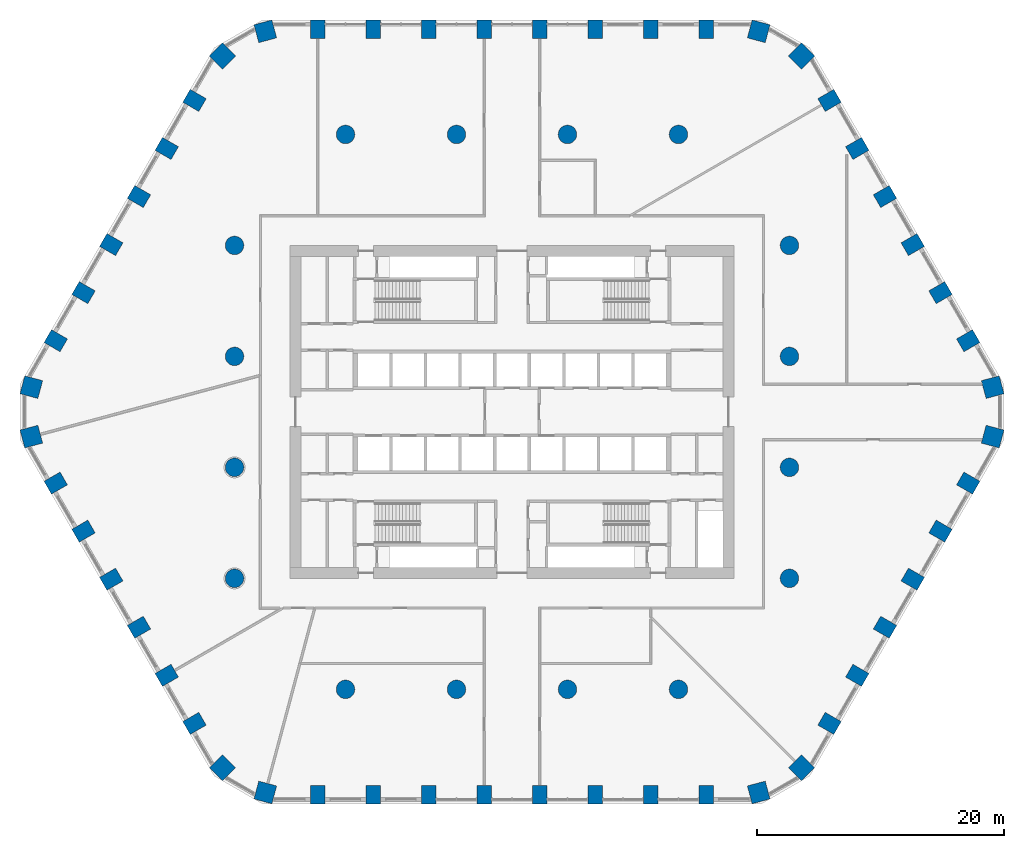
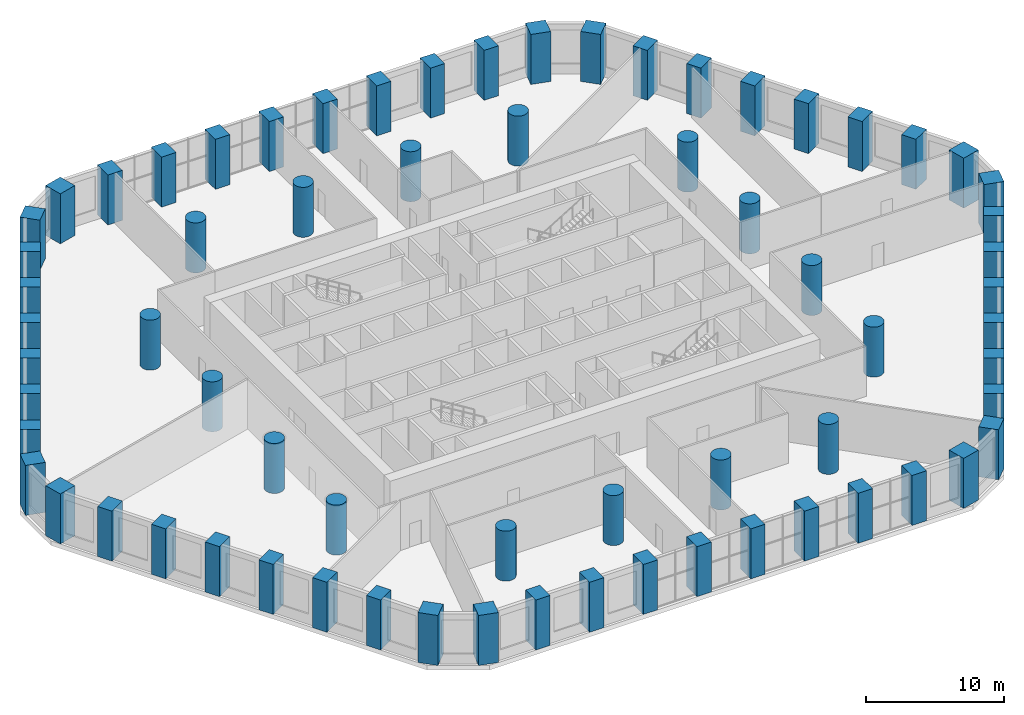
# One storey, part 1 of 13: 68 columns.
"""IFC4 building model written with IfcOpenShell, lengths in metres."""

from ifc_helpers import new_model, si_unit, direction, frame, origin, origin_2d, place, context, subcontext, project, spatial, rectangle, circle, extrude, material, material_profile, profile_set, type_object, element, save


model = new_model("IFC4")

# Units and contexts
model_context = context("Model", 3, precision=1e-05, world=origin(), true_north=direction((0.0, 1.0)))
body_context = subcontext(model_context, "Body", "Model", "MODEL_VIEW")
ifc_project = project(units=[si_unit("LENGTHUNIT", "METRE"), si_unit("AREAUNIT", "SQUARE_METRE"), si_unit("VOLUMEUNIT", "CUBIC_METRE"), si_unit("PLANEANGLEUNIT", "RADIAN"), si_unit("MASSUNIT", "GRAM", prefix="KILO")], contexts=[model_context])

# Site, building, storey
site_placement = place(None, origin())
site = spatial("IfcSite", under=ifc_project, at=site_placement, CompositionType="ELEMENT")
building_placement = place(site_placement, origin())
building = spatial("IfcBuilding", under=site, at=building_placement, Name="Dhurran Vertical Campus", CompositionType="ELEMENT")
storey_placement = place(building_placement, frame((0.0, 0.0, 25.199951171875)))
storey = spatial("IfcBuildingStorey", under=building, at=storey_placement, Name="L05", CompositionType="ELEMENT", Elevation=25.199951171875)

# Columns
ifc_material_1 = material(Name="Concrete C70/85", Category="concrete")
ifc_material_profile_1 = material_profile(ifc_material_1, rectangle(XDim=1.199951171875, YDim=1.5, at=origin_2d()), Name="RC 1200x1500")
ifc_profile_set_1 = profile_set([ifc_material_profile_1], Name="Concrete C70/85")
column_type_1 = type_object("IfcColumnType", Name="FR COL RC 1200x1500 C70/85", PredefinedType="COLUMN", material=ifc_profile_set_1)
for number, where, z_axis, x_axis, name in (
    (1, (-15.75, -31.02978515625, 0.0), (0.0, 0.0, 1.0), (1.0, 0.0, 0.0), "Perimeter pier PP0.01"),
    (2, (-11.25, -31.02978515625, 0.0), (0.0, 0.0, 1.0), (1.0, 0.0, 0.0), "Perimeter pier PP0.02"),
    (3, (-6.75, -31.02978515625, 0.0), (0.0, 0.0, 1.0), (1.0, 0.0, 0.0), "Perimeter pier PP0.03"),
    (4, (-2.25, -31.02978515625, 0.0), (0.0, 0.0, 1.0), (1.0, 0.0, 0.0), "Perimeter pier PP0.04"),
    (5, (2.25, -31.02978515625, 0.0), (0.0, 0.0, 1.0), (1.0, 0.0, 0.0), "Perimeter pier PP0.05"),
    (6, (6.75, -31.02978515625, 0.0), (0.0, 0.0, 1.0), (1.0, 0.0, 0.0), "Perimeter pier PP0.06"),
    (7, (11.25, -31.02978515625, 0.0), (0.0, 0.0, 1.0), (1.0, 0.0, 0.0), "Perimeter pier PP0.07"),
    (8, (15.75, -31.02978515625, 0.0), (0.0, 0.0, 1.0), (1.0, 0.0, 0.0), "Perimeter pier PP0.08"),
    (9, (25.74755859375, -25.2578125, 0.0), (0.0, 0.0, 1.0), (0.5, 0.866025403784, 0.0), "Perimeter pier PP0.11"),
    (10, (27.99755859375, -21.360595703125, 0.0), (0.0, 0.0, 1.0), (0.5, 0.866025403784, 0.0), "Perimeter pier PP0.12"),
    (11, (30.24755859375, -17.46337890625, 0.0), (0.0, 0.0, 1.0), (0.5, 0.866025403784, 0.0), "Perimeter pier PP0.13"),
    (12, (32.49755859375, -13.56640625, 0.0), (0.0, 0.0, 1.0), (0.5, 0.866025403784, 0.0), "Perimeter pier PP0.14"),
    (13, (34.74755859375, -9.669189453125, 0.0), (0.0, 0.0, 1.0), (0.5, 0.866025403784, 0.0), "Perimeter pier PP0.15"),
    (14, (36.99755859375, -5.772216796875, 0.0), (0.0, 0.0, 1.0), (0.5, 0.866025403784, 0.0), "Perimeter pier PP0.16"),
    (15, (36.99755859375, 5.772216796875, 0.0), (0.0, 0.0, 1.0), (-0.5, 0.866025403784, 0.0), "Perimeter pier PP0.19"),
    (16, (34.74755859375, 9.669189453125, 0.0), (0.0, 0.0, 1.0), (-0.5, 0.866025403784, 0.0), "Perimeter pier PP0.20"),
    (17, (32.49755859375, 13.56640625, 0.0), (0.0, 0.0, 1.0), (-0.5, 0.866025403784, 0.0), "Perimeter pier PP0.21"),
    (18, (30.24755859375, 17.46337890625, 0.0), (0.0, 0.0, 1.0), (-0.5, 0.866025403784, 0.0), "Perimeter pier PP0.22"),
    (19, (27.99755859375, 21.360595703125, 0.0), (0.0, 0.0, 1.0), (-0.5, 0.866025403784, 0.0), "Perimeter pier PP0.23"),
    (20, (25.74755859375, 25.2578125, 0.0), (0.0, 0.0, 1.0), (-0.5, 0.866025403784, 0.0), "Perimeter pier PP0.24"),
    (21, (15.75, 31.02978515625, 0.0), (0.0, 0.0, 1.0), (-1.0, 0.0, 0.0), "Perimeter pier PP0.27"),
    (22, (11.25, 31.02978515625, 0.0), (0.0, 0.0, 1.0), (-1.0, 0.0, 0.0), "Perimeter pier PP0.28"),
    (23, (6.75, 31.02978515625, 0.0), (0.0, 0.0, 1.0), (-1.0, 0.0, 0.0), "Perimeter pier PP0.29"),
    (24, (2.25, 31.02978515625, 0.0), (0.0, 0.0, 1.0), (-1.0, 0.0, 0.0), "Perimeter pier PP0.30"),
    (25, (-2.25, 31.02978515625, 0.0), (0.0, 0.0, 1.0), (-1.0, 0.0, 0.0), "Perimeter pier PP0.31"),
    (26, (-6.75, 31.02978515625, 0.0), (0.0, 0.0, 1.0), (-1.0, 0.0, 0.0), "Perimeter pier PP0.32"),
    (27, (-11.25, 31.02978515625, 0.0), (0.0, 0.0, 1.0), (-1.0, 0.0, 0.0), "Perimeter pier PP0.33"),
    (28, (-15.75, 31.02978515625, 0.0), (0.0, 0.0, 1.0), (-1.0, 0.0, 0.0), "Perimeter pier PP0.34"),
    (29, (-25.74755859375, 25.2578125, 0.0), (0.0, 0.0, 1.0), (-0.5, -0.866025403784, 0.0), "Perimeter pier PP0.37"),
    (30, (-27.99755859375, 21.360595703125, 0.0), (0.0, 0.0, 1.0), (-0.5, -0.866025403784, 0.0), "Perimeter pier PP0.38"),
    (31, (-30.24755859375, 17.46337890625, 0.0), (0.0, 0.0, 1.0), (-0.5, -0.866025403784, 0.0), "Perimeter pier PP0.39"),
    (32, (-32.49755859375, 13.56640625, 0.0), (0.0, 0.0, 1.0), (-0.5, -0.866025403784, 0.0), "Perimeter pier PP0.40"),
    (33, (-34.74755859375, 9.669189453125, 0.0), (0.0, 0.0, 1.0), (-0.5, -0.866025403784, 0.0), "Perimeter pier PP0.41"),
    (34, (-36.99755859375, 5.772216796875, 0.0), (0.0, 0.0, 1.0), (-0.5, -0.866025403784, 0.0), "Perimeter pier PP0.42"),
    (35, (-36.99755859375, -5.772216796875, 0.0), (0.0, 0.0, 1.0), (0.5, -0.866025403784, 0.0), "Perimeter pier PP0.45"),
    (36, (-34.74755859375, -9.669189453125, 0.0), (0.0, 0.0, 1.0), (0.5, -0.866025403784, 0.0), "Perimeter pier PP0.46"),
    (37, (-32.49755859375, -13.56640625, 0.0), (0.0, 0.0, 1.0), (0.5, -0.866025403784, 0.0), "Perimeter pier PP0.47"),
    (38, (-30.24755859375, -17.46337890625, 0.0), (0.0, 0.0, 1.0), (0.5, -0.866025403784, 0.0), "Perimeter pier PP0.48"),
    (39, (-27.99755859375, -21.360595703125, 0.0), (0.0, 0.0, 1.0), (0.5, -0.866025403784, 0.0), "Perimeter pier PP0.49"),
    (40, (-25.74755859375, -25.2578125, 0.0), (0.0, 0.0, 1.0), (0.5, -0.866025403784, 0.0), "Perimeter pier PP0.50"),
):
    element("IfcColumn", number, at=place(storey_placement, frame(where, z_axis=z_axis, x_axis=x_axis)), inside=storey, type_object=column_type_1, Name=name, PredefinedType="COLUMN", context=body_context, shape_type="SweptSolid", body=[
        extrude(rectangle(XDim=1.199951171875, YDim=1.5, at=origin_2d()), origin(), (0.0, 0.0, 1.0), 4.425048828125),
    ])
ifc_material_2 = material(Name="Concrete C70/85", Category="concrete")
ifc_material_profile_2 = material_profile(ifc_material_2, rectangle(XDim=1.5, YDim=1.5, at=origin_2d()), Name="RC 1500x1500")
ifc_profile_set_2 = profile_set([ifc_material_profile_2], Name="Concrete C70/85")
column_type_2 = type_object("IfcColumnType", Name="FR COL RC 1500x1500 C70/85", PredefinedType="COLUMN", material=ifc_profile_set_2)
for number, where, z_axis, x_axis, name in (
    (41, (-20.00390625, -30.861083984375, 0.0), (0.0, 0.0, 1.0), (0.965925826289, -0.258819045103, 0.0), "Perimeter pier PP0.00"),
    (42, (20.00390625, -30.861083984375, 0.0), (0.0, 0.0, 1.0), (0.965925826289, 0.258819045103, 0.0), "Perimeter pier PP0.09"),
    (43, (23.474609375, -28.857421875, 0.0), (0.0, 0.0, 1.0), (0.707106781187, 0.707106781187, 0.0), "Perimeter pier PP0.10"),
    (44, (38.978515625, -2.00390625, 0.0), (0.0, 0.0, 1.0), (0.258819045103, 0.965925826289, 0.0), "Perimeter pier PP0.17"),
    (45, (38.978515625, 2.00390625, 0.0), (0.0, 0.0, 1.0), (-0.258819045103, 0.965925826289, 0.0), "Perimeter pier PP0.18"),
    (46, (23.474609375, 28.857421875, 0.0), (0.0, 0.0, 1.0), (-0.707106781187, 0.707106781187, 0.0), "Perimeter pier PP0.25"),
    (47, (20.00390625, 30.861083984375, 0.0), (0.0, 0.0, 1.0), (-0.965925826289, 0.258819045103, 0.0), "Perimeter pier PP0.26"),
    (48, (-20.00390625, 30.861083984375, 0.0), (0.0, 0.0, 1.0), (-0.965925826289, -0.258819045103, 0.0), "Perimeter pier PP0.35"),
    (49, (-23.474609375, 28.857421875, 0.0), (0.0, 0.0, 1.0), (-0.707106781187, -0.707106781187, 0.0), "Perimeter pier PP0.36"),
    (50, (-38.978515625, 2.00390625, 0.0), (0.0, 0.0, 1.0), (-0.258819045103, -0.965925826289, 0.0), "Perimeter pier PP0.43"),
    (51, (-38.978515625, -2.00390625, 0.0), (0.0, 0.0, 1.0), (0.258819045103, -0.965925826289, 0.0), "Perimeter pier PP0.44"),
    (52, (-23.474609375, -28.857421875, 0.0), (0.0, 0.0, 1.0), (0.707106781187, -0.707106781187, 0.0), "Perimeter pier PP0.51"),
):
    element("IfcColumn", number, at=place(storey_placement, frame(where, z_axis=z_axis, x_axis=x_axis)), inside=storey, type_object=column_type_2, Name=name, PredefinedType="COLUMN", context=body_context, shape_type="SweptSolid", body=[
        extrude(rectangle(XDim=1.5, YDim=1.5, at=origin_2d()), origin(), (0.0, 0.0, 1.0), 4.425048828125),
    ])
ifc_material_3 = material(Name="Concrete C70/85", Category="concrete")
ifc_material_profile_3 = material_profile(ifc_material_3, circle(Radius=0.75, at=origin_2d()), Name="RCC D1500")
ifc_profile_set_3 = profile_set([ifc_material_profile_3], Name="Concrete C70/85")
column_type_3 = type_object("IfcColumnType", Name="FR COL RCC D1500 C70/85", PredefinedType="COLUMN", material=ifc_profile_set_3)
for number, where, z_axis, x_axis, name in (
    (53, (-22.5, -13.5, 0.0), (0.0, 0.0, 1.0), (1.0, 0.0, 0.0), "Inner column IC0-D4"),
    (54, (-22.5, -4.5, 0.0), (0.0, 0.0, 1.0), (1.0, 0.0, 0.0), "Inner column IC0-D5"),
    (55, (-22.5, 4.5, 0.0), (0.0, 0.0, 1.0), (1.0, 0.0, 0.0), "Inner column IC0-D6"),
    (56, (-22.5, 13.5, 0.0), (0.0, 0.0, 1.0), (1.0, 0.0, 0.0), "Inner column IC0-D7"),
    (57, (-13.5, -22.5, 0.0), (0.0, 0.0, 1.0), (1.0, 0.0, 0.0), "Inner column IC0-E3"),
    (58, (-13.5, 22.5, 0.0), (0.0, 0.0, 1.0), (1.0, 0.0, 0.0), "Inner column IC0-E8"),
    (59, (-4.5, -22.5, 0.0), (0.0, 0.0, 1.0), (1.0, 0.0, 0.0), "Inner column IC0-F3"),
    (60, (-4.5, 22.5, 0.0), (0.0, 0.0, 1.0), (1.0, 0.0, 0.0), "Inner column IC0-F8"),
    (61, (4.5, -22.5, 0.0), (0.0, 0.0, 1.0), (1.0, 0.0, 0.0), "Inner column IC0-G3"),
    (62, (4.5, 22.5, 0.0), (0.0, 0.0, 1.0), (1.0, 0.0, 0.0), "Inner column IC0-G8"),
    (63, (13.5, -22.5, 0.0), (0.0, 0.0, 1.0), (1.0, 0.0, 0.0), "Inner column IC0-H3"),
    (64, (13.5, 22.5, 0.0), (0.0, 0.0, 1.0), (1.0, 0.0, 0.0), "Inner column IC0-H8"),
    (65, (22.5, -13.5, 0.0), (0.0, 0.0, 1.0), (1.0, 0.0, 0.0), "Inner column IC0-J4"),
    (66, (22.5, -4.5, 0.0), (0.0, 0.0, 1.0), (1.0, 0.0, 0.0), "Inner column IC0-J5"),
    (67, (22.5, 4.5, 0.0), (0.0, 0.0, 1.0), (1.0, 0.0, 0.0), "Inner column IC0-J6"),
    (68, (22.5, 13.5, 0.0), (0.0, 0.0, 1.0), (1.0, 0.0, 0.0), "Inner column IC0-J7"),
):
    element("IfcColumn", number, at=place(storey_placement, frame(where, z_axis=z_axis, x_axis=x_axis)), inside=storey, type_object=column_type_3, Name=name, PredefinedType="COLUMN", context=body_context, shape_type="SweptSolid", body=[
        extrude(circle(Radius=0.75, at=origin_2d()), origin(), (0.0, 0.0, 1.0), 4.425048828125),
    ])

save(model, "model.ifc")
